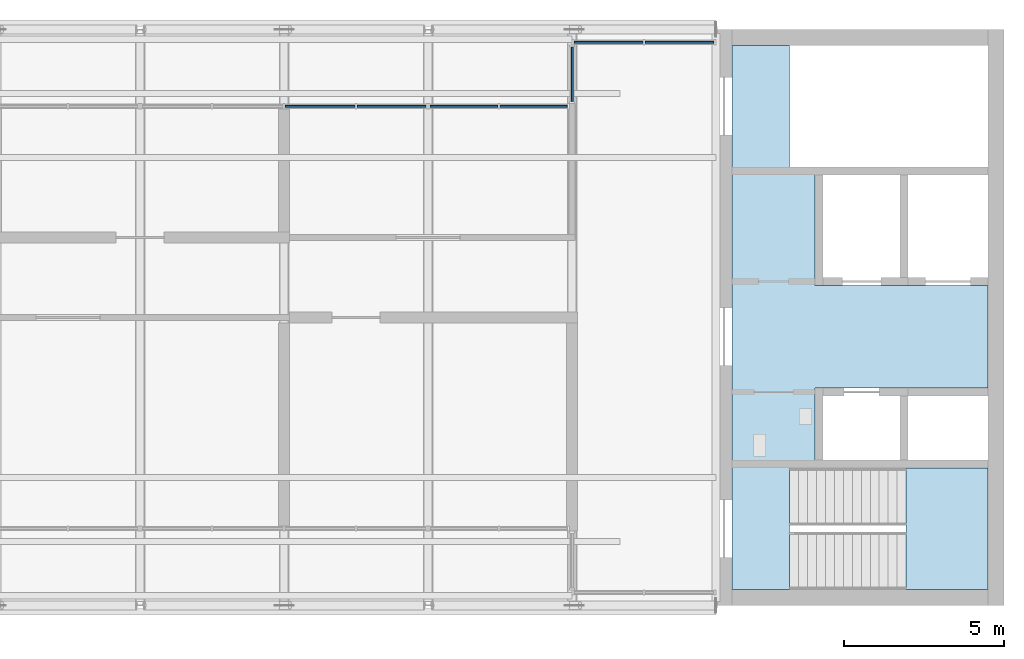
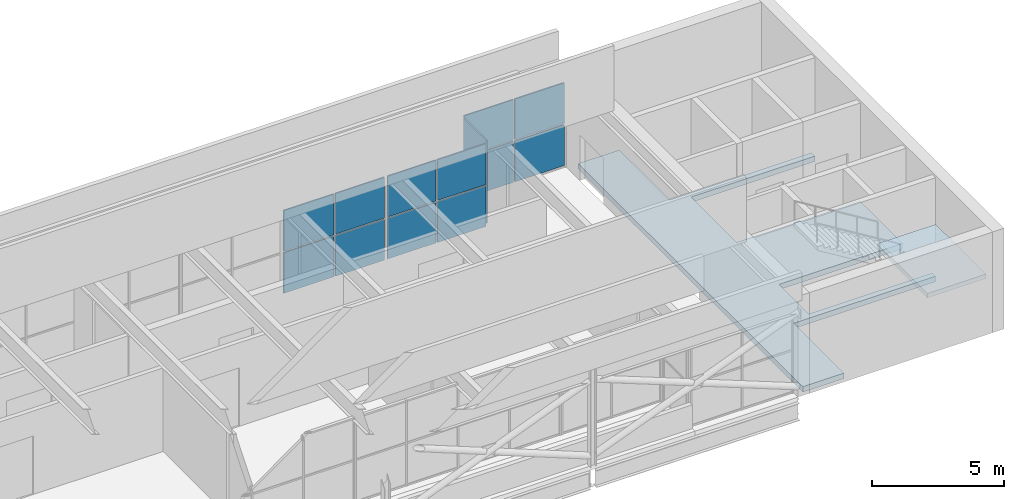
# One storey, part 7 of 13: 14 plates, 2 slabs, 5 elements without a shape of their own.
"""IFC4 building model written with IfcOpenShell, lengths in metres."""

import ifcopenshell
import ifcopenshell.guid

model = None  # the IFC model being written
_history = None  # IfcOwnerHistory: only IFC2X3 demands one
_inside = {}  # id of a spatial element -> (the spatial element, [elements in it])
_under = {}  # id of a project, library or spatial element -> (it, [spatial elements below it])
_declared = {}  # id of a project -> (the project, [libraries it declares])
_typed = {}  # id of a type object -> (the type object, [elements of that type])
_made_of = {}  # id of a material, layer set ... -> (it, [elements and type objects made of it])


def new_model(schema):
    """Start an empty IFC model of exactly this schema.

    Asked for "IFC4X3", IfcOpenShell would pick the latest addendum, in which some entities
    have other attributes; the version numbers below select the first issue.
    IFC2X3 requires an IfcOwnerHistory on every rooted entity: one is made here for all.
    """
    global model, _history
    if schema == "IFC4X3":
        model = ifcopenshell.file(schema_version=(4, 3, 0, 0))
    else:
        model = ifcopenshell.file(schema=schema)
    _inside.clear()
    _under.clear()
    _declared.clear()
    _typed.clear()
    _made_of.clear()
    _history = None
    if model.schema == "IFC2X3":
        org = make("IfcOrganization", Name="unknown")
        user = make(
            "IfcPersonAndOrganization",
            ThePerson=make("IfcPerson", FamilyName="unknown"),
            TheOrganization=org,
        )
        app = make(
            "IfcApplication",
            ApplicationDeveloper=org,
            Version="unknown",
            ApplicationFullName="unknown",
            ApplicationIdentifier="unknown",
        )
        _history = make(
            "IfcOwnerHistory",
            OwningUser=user,
            OwningApplication=app,
            ChangeAction="ADDED",
            CreationDate=0,
        )
    return model


def make(cls, **values):
    """One entity of the class cls with the attributes given. An attribute that is None is left unset."""
    return model.create_entity(
        cls, **{name: value for name, value in values.items() if value is not None}
    )


def rooted(cls, **values):
    """An entity with a GlobalId (a new one), such as an element, a storey or a relation."""
    return make(cls, GlobalId=ifcopenshell.guid.new(), OwnerHistory=_history, **values)


def si_unit(unit_type, name, prefix=None):
    """IfcSIUnit, for example si_unit("LENGTHUNIT", "METRE", prefix="MILLI")."""
    return make("IfcSIUnit", UnitType=unit_type, Prefix=prefix, Name=name)


def assignment(units):
    """IfcUnitAssignment: the units of a project."""
    return None if units is None else make("IfcUnitAssignment", Units=units)


def point(xyz):
    """IfcCartesianPoint."""
    return None if xyz is None else make("IfcCartesianPoint", Coordinates=xyz)


def direction(xyz):
    """IfcDirection."""
    return None if xyz is None else make("IfcDirection", DirectionRatios=xyz)


def frame(location, z_axis=None, x_axis=None):
    """IfcAxis2Placement3D, a coordinate frame: its origin and axes. An axis left out is left unset."""
    return make(
        "IfcAxis2Placement3D",
        Location=point(location),
        Axis=direction(z_axis),
        RefDirection=direction(x_axis),
    )


def frame_2d(location, x_axis=None):
    """IfcAxis2Placement2D, a coordinate frame in the plane: its origin and x axis."""
    return make(
        "IfcAxis2Placement2D", Location=point(location), RefDirection=direction(x_axis)
    )


def origin():
    """The frame at (0, 0, 0) with its axes left unset."""
    return frame((0.0, 0.0, 0.0))


def origin_2d():
    """The frame at (0, 0) in the plane with its x axis left unset."""
    return frame_2d((0.0, 0.0))


def place(relative_to, where):
    """IfcLocalPlacement: puts the frame where relative to a parent placement (None: the world)."""
    return make(
        "IfcLocalPlacement", PlacementRelTo=relative_to, RelativePlacement=where
    )


def context(
    kind, dimensions, precision=None, world=None, true_north=None, identifier=None
):
    """IfcGeometricRepresentationContext, for example the 3D "Model" context."""
    return make(
        "IfcGeometricRepresentationContext",
        ContextIdentifier=identifier,
        ContextType=kind,
        CoordinateSpaceDimension=dimensions,
        Precision=precision,
        WorldCoordinateSystem=world,
        TrueNorth=true_north,
    )


def subcontext(parent, identifier, kind, view, scale=None):
    """IfcGeometricRepresentationSubContext, for example "Body" below "Model"."""
    return make(
        "IfcGeometricRepresentationSubContext",
        ContextIdentifier=identifier,
        ContextType=kind,
        ParentContext=parent,
        TargetScale=scale,
        TargetView=view,
    )


def project(units=None, contexts=None):
    """IfcProject with its units and contexts."""
    return rooted(
        "IfcProject",
        Name="project",
        RepresentationContexts=contexts,
        UnitsInContext=assignment(units),
    )


def spatial(cls, under=None, at=None, **own):
    """A site, building, storey or space (cls), placed at a placement, below another one or the project."""
    s = rooted(cls, ObjectPlacement=at, **own)
    if under is not None:
        _under.setdefault(under.id(), (under, []))[1].append(s)
    return s


def polyline(points):
    """IfcPolyline through the points."""
    return make("IfcPolyline", Points=[point(p) for p in points])


def profile(cls, at=None, kind="AREA", **sizes):
    """A parametric profile (cls). Its sizes go by their IFC names, for example OverallWidth=200.0."""
    return make(cls, ProfileType=kind, Position=at, **sizes)


def rectangle(**sizes):
    """IfcRectangleProfileDef."""
    return profile("IfcRectangleProfileDef", **sizes)


def outline(outer, holes=None, kind="AREA"):
    """IfcArbitraryClosedProfileDef: a profile drawn as a closed curve; with holes, ...WithVoids."""
    if holes is None:
        return make("IfcArbitraryClosedProfileDef", ProfileType=kind, OuterCurve=outer)
    return make(
        "IfcArbitraryProfileDefWithVoids",
        ProfileType=kind,
        OuterCurve=outer,
        InnerCurves=holes,
    )


def extrude(swept, where, along, depth):
    """IfcExtrudedAreaSolid: the profile swept, set in the frame where, extruded along a direction by depth."""
    return make(
        "IfcExtrudedAreaSolid",
        SweptArea=swept,
        Position=where,
        ExtrudedDirection=direction(along),
        Depth=depth,
    )


def shape(context_of_items, identifier, shape_type, items):
    """IfcShapeRepresentation: the items that make up one representation, for example the "Body"."""
    return make(
        "IfcShapeRepresentation",
        ContextOfItems=context_of_items,
        RepresentationIdentifier=identifier,
        RepresentationType=shape_type,
        Items=items,
    )


def material(Name=None, Category=None):
    """IfcMaterial."""
    return make("IfcMaterial", Name=Name, Category=Category)


def layer(
    of_material, thickness, ventilated=None, Name=None, Category=None, Priority=None
):
    """IfcMaterialLayer: one layer of a wall or slab, of a material (None: an air gap)."""
    return make(
        "IfcMaterialLayer",
        Material=of_material,
        LayerThickness=thickness,
        IsVentilated=ventilated,
        Name=Name,
        Category=Category,
        Priority=Priority,
    )


def layer_set(layers, Name=None):
    """IfcMaterialLayerSet."""
    return make("IfcMaterialLayerSet", MaterialLayers=layers, LayerSetName=Name)


def made_of(thing, what):
    """Note that an element or type object is made of a material, layer set ...; save() writes the relation."""
    if what is not None:
        _made_of.setdefault(what.id(), (what, []))[1].append(thing)
    return thing


def type_object(cls, material=None, **own):
    """A type object (cls), such as IfcWallType, which elements share."""
    return made_of(rooted(cls, **own), material)


def element(
    cls,
    number,
    at=None,
    inside=None,
    cuts=None,
    type_object=None,
    material=None,
    context=None,
    identifier="Body",
    shape_type=None,
    held_by="IfcProductDefinitionShape",
    body=None,
    shapes=None,
    **own,
):
    """One element of the class cls, such as IfcWall. Its Tag is "e" and its number.

    at: its placement. inside: the storey or other place that contains it. cuts: it is an
    opening in that element (IfcRelVoidsElement). A single representation is given by context,
    identifier, shape_type and body (its items); several are given by shapes. held_by: the class
    of the entity that holds the representations. save() writes the other relations.
    """
    e = rooted(cls, Tag="e%d" % number, ObjectPlacement=at, **own)
    if body is not None:
        shapes = [shape(context, identifier, shape_type, body)]
    if shapes is not None:
        e.Representation = make(held_by, Representations=shapes)
    if inside is not None:
        _inside.setdefault(inside.id(), (inside, []))[1].append(e)
    if cuts is not None:
        rooted(
            "IfcRelVoidsElement", RelatingBuildingElement=cuts, RelatedOpeningElement=e
        )
    if type_object is not None:
        _typed.setdefault(type_object.id(), (type_object, []))[1].append(e)
    return made_of(e, material)


def aggregate(whole, parts):
    """IfcRelAggregates: a whole, such as a stair, and the parts it consists of."""
    return rooted("IfcRelAggregates", RelatingObject=whole, RelatedObjects=parts)


def save(model, path):
    """Write the relations noted so far, then the file.

    IfcRelAggregates (storeys below a building ...), IfcRelContainedInSpatialStructure (elements
    in a storey), IfcRelDefinesByType, IfcRelAssociatesMaterial and IfcRelDeclares: one each for
    every whole, place, type object, material and project.
    """
    for whole, parts in _under.values():
        aggregate(whole, parts)
    for where, things in _inside.values():
        rooted(
            "IfcRelContainedInSpatialStructure",
            RelatedElements=things,
            RelatingStructure=where,
        )
    for kind, things in _typed.values():
        rooted("IfcRelDefinesByType", RelatedObjects=things, RelatingType=kind)
    for what, things in _made_of.values():
        rooted("IfcRelAssociatesMaterial", RelatedObjects=things, RelatingMaterial=what)
    for by, libraries in _declared.values():
        rooted("IfcRelDeclares", RelatingContext=by, RelatedDefinitions=libraries)
    model.write(path)


model = new_model("IFC4")

# Units and contexts
model_context = context("Model", 3, precision=1e-05, world=origin(), true_north=direction((0.0, 1.0)))
body_context = subcontext(model_context, "Body", "Model", "MODEL_VIEW")
ifc_project = project(units=[si_unit("LENGTHUNIT", "METRE"), si_unit("AREAUNIT", "SQUARE_METRE"), si_unit("VOLUMEUNIT", "CUBIC_METRE"), si_unit("PLANEANGLEUNIT", "RADIAN"), si_unit("MASSUNIT", "GRAM", prefix="KILO")], contexts=[model_context])

# Site, building, storey
site_placement = place(None, origin())
site = spatial("IfcSite", under=ifc_project, at=site_placement, CompositionType="ELEMENT")
building_placement = place(site_placement, origin())
building = spatial("IfcBuilding", under=site, at=building_placement, Name="Corbel Yard City Hall", CompositionType="ELEMENT")
storey_placement = place(building_placement, frame((0.0, 0.0, 71.199951171875)))
storey = spatial("IfcBuildingStorey", under=building, at=storey_placement, Name="L17", CompositionType="ELEMENT", Elevation=71.199951171875)

# Slab
ifc_material_1 = material(Name="Concrete N40 (40 MPa)", Category="concrete")
ifc_layer_1 = layer(ifc_material_1, 0.25)
ifc_layer_set_1 = layer_set([ifc_layer_1], Name="Concrete N40 (40 MPa)")
slab_type_1 = type_object("IfcSlabType", Name="CF1", PredefinedType="FLOOR", material=ifc_layer_set_1)
slab_1_placement = place(storey_placement, frame((0.0, 0.0, -0.25)))
element("IfcSlab", 1, at=slab_1_placement, inside=storey, type_object=slab_type_1, Name="Core floor slab", PredefinedType="FLOOR", context=body_context, shape_type="SweptSolid", body=[
    extrude(outline(polyline([(53.5, 103.300048828125), (53.5, 103.550048828125), (48.10009765625, 103.550048828125), (48.10009765625, 105.800048828125), (53.5, 105.800048828125), (53.5, 109.0), (48.10009765625, 109.0), (48.10009765625, 112.449951171875), (53.5, 112.449951171875), (53.5, 112.699951171875), (47.301025390625, 112.699951171875), (47.301025390625, 116.5), (45.5, 116.5), (45.5, 99.5), (47.301025390625, 99.5), (47.301025390625, 103.300048828125), (53.5, 103.300048828125)])), origin(), (0.0, 0.0, 1.0), 0.25),
])

# Stair, slab
stair_type = type_object("IfcStairType", Name="ST5", PredefinedType="HALF_TURN_STAIR", material=ifc_material_1)
stair_placement = place(storey_placement, origin())
stair = element("IfcStair", 2, at=stair_placement, inside=storey, type_object=stair_type, Name="Exit stair ST-E1 L17", PredefinedType="HALF_TURN_STAIR")
ifc_layer_2 = layer(ifc_material_1, 0.199951171875)
ifc_layer_set_2 = layer_set([ifc_layer_2], Name="Concrete N40 (40 MPa)")
slab_type_2 = type_object("IfcSlabType", Name="LN1", PredefinedType="LANDING", material=ifc_layer_set_2)
slab_2_placement = place(storey_placement, frame((0.0, 0.0, 2.199951171875)))
slab_2 = element("IfcSlab", 3, at=slab_2_placement, type_object=slab_type_2, Name="ST-E1 landing 1", PredefinedType="LANDING", context=body_context, shape_type="SweptSolid", body=[
    extrude(outline(polyline([(50.93994140625, 99.5), (53.5, 99.5), (53.5, 103.300048828125), (50.93994140625, 103.300048828125), (50.93994140625, 99.5)])), origin(), (0.0, 0.0, 1.0), 0.2001953125),
])
aggregate(stair, [slab_2])

# Curtain wall, plates
ifc_material_2 = material(Name="Aluminium extrusion", Category="aluminium")
ifc_layer_3 = layer(ifc_material_2, 0.159912109375)
ifc_layer_set_3 = layer_set([ifc_layer_3], Name="Aluminium extrusion")
curtain_wall_type = type_object("IfcCurtainWallType", Name="CW8", PredefinedType="USERDEFINED", material=ifc_layer_set_3)
curtain_wall_1_placement = place(storey_placement, origin())
curtain_wall_1 = element("IfcCurtainWall", 4, at=curtain_wall_1_placement, inside=storey, type_object=curtain_wall_type, Name="Curtain wall CW8 L17", ObjectType="CURTAIN WALL", PredefinedType="USERDEFINED")
ifc_material_3 = material(Name="Aluminium louvre panel, fixed blades", Category="aluminium")
ifc_layer_4 = layer(ifc_material_3, 0.06005859375)
ifc_layer_set_4 = layer_set([ifc_layer_4], Name="Aluminium louvre panel, fixed blades")
plate_type = type_object("IfcPlateType", Name="PN9", PredefinedType="CURTAIN_PANEL", material=ifc_layer_set_4)
plate_1_placement = place(storey_placement, frame((32.625, 114.60009765625, 0.065185546875), z_axis=(0.0, 0.0, 1.0), x_axis=(1.0, 0.0, 0.0)))
plate_1 = element("IfcPlate", 5, at=plate_1_placement, type_object=plate_type, Name="CW8 panel 3.1", PredefinedType="CURTAIN_PANEL", context=body_context, shape_type="SweptSolid", body=[
    extrude(rectangle(XDim=2.18505859375, YDim=0.06005859375, at=origin_2d()), origin(), (0.0, 0.0, 1.0), 1.87744140625),
])
plate_2_placement = place(storey_placement, frame((32.625, 114.60009765625, 2.007568359375), z_axis=(0.0, 0.0, 1.0), x_axis=(1.0, 0.0, 0.0)))
plate_2 = element("IfcPlate", 6, at=plate_2_placement, type_object=plate_type, Name="CW8 panel 3.2", PredefinedType="CURTAIN_PANEL", context=body_context, shape_type="SweptSolid", body=[
    extrude(rectangle(XDim=2.18505859375, YDim=0.06005859375, at=origin_2d()), origin(), (0.0, 0.0, 1.0), 1.87744140625),
])
plate_3_placement = place(storey_placement, frame((34.858642578125, 114.60009765625, 0.065185546875), z_axis=(0.0, 0.0, 1.0), x_axis=(1.0, 0.0, 0.0)))
plate_3 = element("IfcPlate", 7, at=plate_3_placement, type_object=plate_type, Name="CW8 panel 4.1", PredefinedType="CURTAIN_PANEL", context=body_context, shape_type="SweptSolid", body=[
    extrude(rectangle(XDim=2.152587890625, YDim=0.06005859375, at=origin_2d()), origin(), (0.0, 0.0, 1.0), 1.87744140625),
])
plate_4_placement = place(storey_placement, frame((34.858642578125, 114.60009765625, 2.007568359375), z_axis=(0.0, 0.0, 1.0), x_axis=(1.0, 0.0, 0.0)))
plate_4 = element("IfcPlate", 8, at=plate_4_placement, type_object=plate_type, Name="CW8 panel 4.2", PredefinedType="CURTAIN_PANEL", context=body_context, shape_type="SweptSolid", body=[
    extrude(rectangle(XDim=2.152587890625, YDim=0.06005859375, at=origin_2d()), origin(), (0.0, 0.0, 1.0), 1.87744140625),
])
aggregate(curtain_wall_1, [plate_1, plate_2, plate_3, plate_4])

curtain_wall_2_placement = place(storey_placement, origin())
curtain_wall_2 = element("IfcCurtainWall", 9, at=curtain_wall_2_placement, inside=storey, type_object=curtain_wall_type, Name="Curtain wall CW8 L17", ObjectType="CURTAIN WALL", PredefinedType="USERDEFINED")
plate_5_placement = place(storey_placement, frame((37.121337890625, 114.60009765625, 0.065185546875), z_axis=(0.0, 0.0, 1.0), x_axis=(1.0, 0.0, 0.0)))
plate_5 = element("IfcPlate", 10, at=plate_5_placement, type_object=plate_type, Name="CW8 panel 1.1", PredefinedType="CURTAIN_PANEL", context=body_context, shape_type="SweptSolid", body=[
    extrude(rectangle(XDim=2.112548828125, YDim=0.06005859375, at=origin_2d()), origin(), (0.0, 0.0, 1.0), 1.87744140625),
])
plate_6_placement = place(storey_placement, frame((37.121337890625, 114.60009765625, 2.007568359375), z_axis=(0.0, 0.0, 1.0), x_axis=(1.0, 0.0, 0.0)))
plate_6 = element("IfcPlate", 11, at=plate_6_placement, type_object=plate_type, Name="CW8 panel 1.2", PredefinedType="CURTAIN_PANEL", context=body_context, shape_type="SweptSolid", body=[
    extrude(rectangle(XDim=2.112548828125, YDim=0.06005859375, at=origin_2d()), origin(), (0.0, 0.0, 1.0), 1.87744140625),
])
plate_7_placement = place(storey_placement, frame((39.298828125, 114.60009765625, 0.065185546875), z_axis=(0.0, 0.0, 1.0), x_axis=(1.0, 0.0, 0.0)))
plate_7 = element("IfcPlate", 12, at=plate_7_placement, type_object=plate_type, Name="CW8 panel 2.1", PredefinedType="CURTAIN_PANEL", context=body_context, shape_type="SweptSolid", body=[
    extrude(rectangle(XDim=2.112548828125, YDim=0.06005859375, at=origin_2d()), origin(), (0.0, 0.0, 1.0), 1.87744140625),
])
plate_8_placement = place(storey_placement, frame((39.298828125, 114.60009765625, 2.007568359375), z_axis=(0.0, 0.0, 1.0), x_axis=(1.0, 0.0, 0.0)))
plate_8 = element("IfcPlate", 13, at=plate_8_placement, type_object=plate_type, Name="CW8 panel 2.2", PredefinedType="CURTAIN_PANEL", context=body_context, shape_type="SweptSolid", body=[
    extrude(rectangle(XDim=2.112548828125, YDim=0.06005859375, at=origin_2d()), origin(), (0.0, 0.0, 1.0), 1.87744140625),
])
aggregate(curtain_wall_2, [plate_5, plate_6, plate_7, plate_8])

curtain_wall_3_placement = place(storey_placement, origin())
curtain_wall_3 = element("IfcCurtainWall", 14, at=curtain_wall_3_placement, inside=storey, type_object=curtain_wall_type, Name="Curtain wall CW8 L17", ObjectType="CURTAIN WALL", PredefinedType="USERDEFINED")
plate_9_placement = place(storey_placement, frame((41.641357421875, 116.60009765625, 0.065185546875), z_axis=(0.0, 0.0, 1.0), x_axis=(1.0, 0.0, 0.0)))
plate_9 = element("IfcPlate", 15, at=plate_9_placement, type_object=plate_type, Name="CW8 panel 1.1", PredefinedType="CURTAIN_PANEL", context=body_context, shape_type="SweptSolid", body=[
    extrude(rectangle(XDim=2.152587890625, YDim=0.06005859375, at=origin_2d()), origin(), (0.0, 0.0, 1.0), 1.87744140625),
])
plate_10_placement = place(storey_placement, frame((41.641357421875, 116.60009765625, 2.007568359375), z_axis=(0.0, 0.0, 1.0), x_axis=(1.0, 0.0, 0.0)))
plate_10 = element("IfcPlate", 16, at=plate_10_placement, type_object=plate_type, Name="CW8 panel 1.2", PredefinedType="CURTAIN_PANEL", context=body_context, shape_type="SweptSolid", body=[
    extrude(rectangle(XDim=2.152587890625, YDim=0.06005859375, at=origin_2d()), origin(), (0.0, 0.0, 1.0), 1.87744140625),
])
plate_11_placement = place(storey_placement, frame((43.858642578125, 116.60009765625, 0.065185546875), z_axis=(0.0, 0.0, 1.0), x_axis=(1.0, 0.0, 0.0)))
plate_11 = element("IfcPlate", 17, at=plate_11_placement, type_object=plate_type, Name="CW8 panel 2.1", PredefinedType="CURTAIN_PANEL", context=body_context, shape_type="SweptSolid", body=[
    extrude(rectangle(XDim=2.152587890625, YDim=0.06005859375, at=origin_2d()), origin(), (0.0, 0.0, 1.0), 1.87744140625),
])
plate_12_placement = place(storey_placement, frame((43.858642578125, 116.60009765625, 2.007568359375), z_axis=(0.0, 0.0, 1.0), x_axis=(1.0, 0.0, 0.0)))
plate_12 = element("IfcPlate", 18, at=plate_12_placement, type_object=plate_type, Name="CW8 panel 2.2", PredefinedType="CURTAIN_PANEL", context=body_context, shape_type="SweptSolid", body=[
    extrude(rectangle(XDim=2.152587890625, YDim=0.06005859375, at=origin_2d()), origin(), (0.0, 0.0, 1.0), 1.87744140625),
])
aggregate(curtain_wall_3, [plate_9, plate_10, plate_11, plate_12])

curtain_wall_4_placement = place(storey_placement, origin())
curtain_wall_4 = element("IfcCurtainWall", 19, at=curtain_wall_4_placement, inside=storey, type_object=curtain_wall_type, Name="Curtain wall CW8 L17", ObjectType="CURTAIN WALL", PredefinedType="USERDEFINED")
plate_13_placement = place(storey_placement, frame((40.5, 115.60009765625, 0.065185546875), z_axis=(0.0, 0.0, 1.0), x_axis=(0.0, -1.0, 0.0)))
plate_13 = element("IfcPlate", 20, at=plate_13_placement, type_object=plate_type, Name="CW8 panel 1.1", PredefinedType="CURTAIN_PANEL", context=body_context, shape_type="SweptSolid", body=[
    extrude(rectangle(XDim=1.7099609375, YDim=0.06005859375, at=origin_2d()), origin(), (0.0, 0.0, 1.0), 1.87744140625),
])
plate_14_placement = place(storey_placement, frame((40.5, 115.60009765625, 2.007568359375), z_axis=(0.0, 0.0, 1.0), x_axis=(0.0, -1.0, 0.0)))
plate_14 = element("IfcPlate", 21, at=plate_14_placement, type_object=plate_type, Name="CW8 panel 1.2", PredefinedType="CURTAIN_PANEL", context=body_context, shape_type="SweptSolid", body=[
    extrude(rectangle(XDim=1.7099609375, YDim=0.06005859375, at=origin_2d()), origin(), (0.0, 0.0, 1.0), 1.87744140625),
])
aggregate(curtain_wall_4, [plate_13, plate_14])

save(model, "model.ifc")
